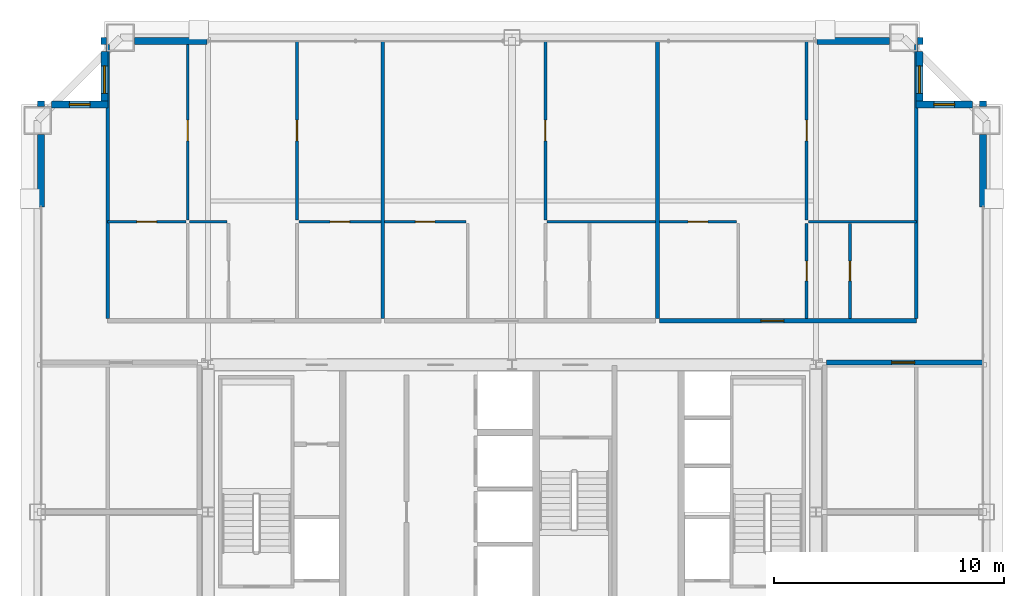
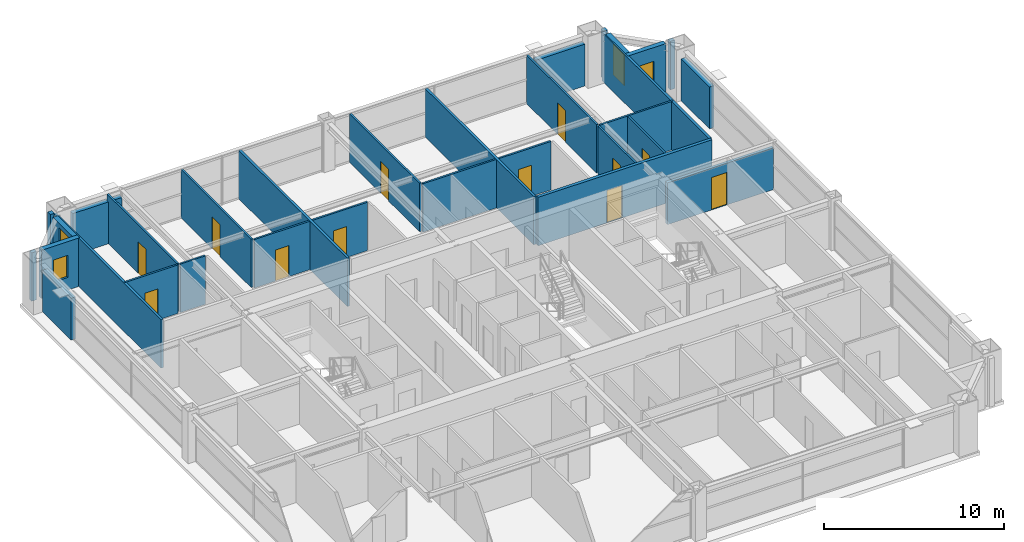
# One storey, part 35 of 37: 31 walls, 12 doors, 4 windows, 16 openings.
"""IFC4 building model written with IfcOpenShell, lengths in metres."""

from ifc_helpers import new_model, si_unit, direction, frame, frame_2d, origin, place, context, subcontext, project, spatial, rectangle, extrude, source, transform, mapped, material, layer, layer_set, type_object, element, fill, save


model = new_model("IFC4")

# Units and contexts
model_context = context("Model", 3, precision=1e-05, world=origin(), true_north=direction((0.0, 1.0)))
body_context = subcontext(model_context, "Body", "Model", "MODEL_VIEW")
ifc_project = project(units=[si_unit("LENGTHUNIT", "METRE"), si_unit("AREAUNIT", "SQUARE_METRE"), si_unit("VOLUMEUNIT", "CUBIC_METRE"), si_unit("PLANEANGLEUNIT", "RADIAN"), si_unit("MASSUNIT", "GRAM", prefix="KILO"), si_unit("THERMODYNAMICTEMPERATUREUNIT", "KELVIN"), si_unit("POWERUNIT", "WATT")], contexts=[model_context])

# Site, building, storey
site_placement = place(None, origin())
site = spatial("IfcSite", under=ifc_project, at=site_placement, CompositionType="ELEMENT")
building_placement = place(site_placement, origin())
building = spatial("IfcBuilding", under=site, at=building_placement, Name="Yuzanri Waterfront Tower", CompositionType="ELEMENT")
storey_placement = place(building_placement, frame((0.0, 0.0, 252.10009765625)))
storey = spatial("IfcBuildingStorey", under=building, at=storey_placement, Name="L67", CompositionType="ELEMENT", Elevation=252.10009765625)

# Wall, opening, door
ifc_material_1 = material(Name="Moisture-Resistant Gypsum Stud Wall", Category="gypsum")
ifc_layer_1 = layer(ifc_material_1, 0.1201171875)
ifc_layer_set_1 = layer_set([ifc_layer_1], Name="Moisture-Resistant Gypsum Stud Wall")
wall_type_1 = type_object("IfcWallType", Name="Bathroom and Kitchen Wet Partition 120", PredefinedType="PARTITIONING", material=ifc_layer_set_1)
wall_1_placement = place(storey_placement, frame((19.43994140625, 38.39990234375, 0.0), z_axis=(0.0, 0.0, 1.0), x_axis=(1.0, 0.0, 0.0)))
wall_1 = element("IfcWall", 1, at=wall_1_placement, inside=storey, type_object=wall_type_1, Name="L67 Partition UW-L67-RN1-SUB-1-N", PredefinedType="PARTITIONING", context=body_context, shape_type="SweptSolid", body=[
    extrude(rectangle(XDim=3.400146484375, YDim=0.1201171875, at=frame_2d((1.7001953125, 0.0))), origin(), (0.0, 0.0, 1.0), 3.27978515625),
])
opening_1_placement = place(wall_1_placement, frame((1.27490234375, 0.0, 0.0)))
opening_1 = element("IfcOpeningElement", 2, at=opening_1_placement, cuts=wall_1, Name="Opening ID-0850", PredefinedType="OPENING", context=body_context, shape_type="SweptSolid", body=[
    extrude(rectangle(XDim=0.85009765625, YDim=2.10009765625, at=frame_2d((0.425048828125, 1.050048828125))), frame((0.0, 0.074951171875, 0.0), z_axis=(0.0, -1.0, 0.0), x_axis=(1.0, 0.0, 0.0)), (0.0, 0.0, 1.0), 0.14990234375),
])
ifc_material_2 = material(Name="Moisture-Resistant Lacquered Timber", Category="wood")
door_type_1 = type_object("IfcDoorType", Name="En-Suite Bathroom and Kitchen Swing Door 850x2100", OperationType="NOTDEFINED", PredefinedType="DOOR", material=ifc_material_2)
shared_shape_1 = source(origin(), body_context, "Body", "SweptSolid", [
    extrude(rectangle(XDim=0.85009765625, YDim=2.10009765625, at=frame_2d((0.425048828125, 1.050048828125))), frame((0.0, 0.02490234375, 0.0), z_axis=(0.0, -1.0, 0.0), x_axis=(1.0, 0.0, 0.0)), (0.0, 0.0, 1.0), 0.050048828125),
])
door_1_placement = place(opening_1_placement, origin())
door_1 = element("IfcDoor", 3, at=door_1_placement, inside=storey, type_object=door_type_1, Name="L67 Suite Interior Room Door", OperationType="SINGLE_SWING_RIGHT", OverallHeight=2.10009765625, OverallWidth=0.85009765625, PredefinedType="DOOR", context=body_context, shape_type="MappedRepresentation", body=[
    mapped(shared_shape_1, transform((0.0, 0.0, 0.0), scale=1.0)),
])
fill(opening_1, door_1)

wall_2_placement = place(storey_placement, frame((27.742919921875, 38.39990234375, 0.0), z_axis=(0.0, 0.0, 1.0), x_axis=(1.0, 0.0, 0.0)))
wall_2 = element("IfcWall", 4, at=wall_2_placement, inside=storey, type_object=wall_type_1, Name="L67 Partition UW-L67-RN1-SUB-3-N", PredefinedType="PARTITIONING", context=body_context, shape_type="SweptSolid", body=[
    extrude(rectangle(XDim=3.55810546875, YDim=0.1201171875, at=frame_2d((1.779052734375, 0.0))), origin(), (0.0, 0.0, 1.0), 3.27978515625),
])
opening_2_placement = place(wall_2_placement, frame((1.35400390625, 0.0, 0.0)))
opening_2 = element("IfcOpeningElement", 5, at=opening_2_placement, cuts=wall_2, Name="Opening ID-0850", PredefinedType="OPENING", context=body_context, shape_type="SweptSolid", body=[
    extrude(rectangle(XDim=0.85009765625, YDim=2.10009765625, at=frame_2d((0.425048828125, 1.050048828125))), frame((0.0, 0.074951171875, 0.0), z_axis=(0.0, -1.0, 0.0), x_axis=(1.0, 0.0, 0.0)), (0.0, 0.0, 1.0), 0.14990234375),
])
door_2_placement = place(opening_2_placement, origin())
door_2 = element("IfcDoor", 6, at=door_2_placement, inside=storey, type_object=door_type_1, Name="L67 Suite Interior Room Door", OperationType="SINGLE_SWING_RIGHT", OverallHeight=2.10009765625, OverallWidth=0.85009765625, PredefinedType="DOOR", context=body_context, shape_type="MappedRepresentation", body=[
    mapped(shared_shape_1, transform((0.0, 0.0, 0.0), scale=1.0)),
])
fill(opening_2, door_2)

wall_3_placement = place(storey_placement, frame((22.919921875, 38.47998046875, 0.0), z_axis=(0.0, 0.0, 1.0), x_axis=(0.0, 1.0, 0.0)))
wall_3 = element("IfcWall", 7, at=wall_3_placement, inside=storey, type_object=wall_type_1, Name="L67 Partition UW-L67-RN1-SUB-4-E", PredefinedType="PARTITIONING", context=body_context, shape_type="SweptSolid", body=[
    extrude(rectangle(XDim=7.77001953125, YDim=0.1201171875, at=frame_2d((3.885009765625, 0.0))), origin(), (0.0, 0.0, 1.0), 3.27978515625),
])
opening_3_placement = place(wall_3_placement, frame((3.43505859375, 0.0, 0.0)))
opening_3 = element("IfcOpeningElement", 8, at=opening_3_placement, cuts=wall_3, Name="Opening ID-0900", PredefinedType="OPENING", context=body_context, shape_type="SweptSolid", body=[
    extrude(rectangle(XDim=0.89990234375, YDim=2.14990234375, at=frame_2d((0.449951171875, 1.074951171875))), frame((0.0, 0.074951171875, 0.0), z_axis=(0.0, -1.0, 0.0), x_axis=(1.0, 0.0, 0.0)), (0.0, 0.0, 1.0), 0.14990234375),
])
ifc_material_3 = material(Name="Stained Walnut Veneer Timber", Category="wood")
door_type_2 = type_object("IfcDoorType", Name="Bedroom and Study Interior Swing Door 900x2150", OperationType="NOTDEFINED", PredefinedType="DOOR", material=ifc_material_3)
shared_shape_2 = source(origin(), body_context, "Body", "SweptSolid", [
    extrude(rectangle(XDim=0.89990234375, YDim=2.14990234375, at=frame_2d((0.449951171875, 1.074951171875))), frame((0.0, 0.02490234375, 0.0), z_axis=(0.0, -1.0, 0.0), x_axis=(1.0, 0.0, 0.0)), (0.0, 0.0, 1.0), 0.050048828125),
])
door_3_placement = place(opening_3_placement, origin())
door_3 = element("IfcDoor", 9, at=door_3_placement, inside=storey, type_object=door_type_2, Name="L67 Suite Interior Room Door", OperationType="SINGLE_SWING_LEFT", OverallHeight=2.14990234375, OverallWidth=0.89990234375, PredefinedType="DOOR", context=body_context, shape_type="MappedRepresentation", body=[
    mapped(shared_shape_2, transform((0.0, 0.0, 0.0), scale=1.0)),
])
fill(opening_3, door_3)

wall_4_placement = place(storey_placement, frame((27.6630859375, 38.47998046875, 0.0), z_axis=(0.0, 0.0, 1.0), x_axis=(0.0, 1.0, 0.0)))
wall_4 = element("IfcWall", 10, at=wall_4_placement, inside=storey, type_object=wall_type_1, Name="L67 Partition UW-L67-RN1-SUB-5-W", PredefinedType="PARTITIONING", context=body_context, shape_type="SweptSolid", body=[
    extrude(rectangle(XDim=7.77001953125, YDim=0.1201171875, at=frame_2d((3.885009765625, 0.0))), origin(), (0.0, 0.0, 1.0), 3.27978515625),
])
opening_4_placement = place(wall_4_placement, frame((3.43505859375, 0.0, 0.0)))
opening_4 = element("IfcOpeningElement", 11, at=opening_4_placement, cuts=wall_4, Name="Opening ID-0900", PredefinedType="OPENING", context=body_context, shape_type="SweptSolid", body=[
    extrude(rectangle(XDim=0.89990234375, YDim=2.14990234375, at=frame_2d((0.449951171875, 1.074951171875))), frame((0.0, 0.074951171875, 0.0), z_axis=(0.0, -1.0, 0.0), x_axis=(1.0, 0.0, 0.0)), (0.0, 0.0, 1.0), 0.14990234375),
])
door_4_placement = place(opening_4_placement, origin())
door_4 = element("IfcDoor", 12, at=door_4_placement, inside=storey, type_object=door_type_2, Name="L67 Suite Interior Room Door", OperationType="SINGLE_SWING_RIGHT", OverallHeight=2.14990234375, OverallWidth=0.89990234375, PredefinedType="DOOR", context=body_context, shape_type="MappedRepresentation", body=[
    mapped(shared_shape_2, transform((0.0, 0.0, 0.0), scale=1.0)),
])
fill(opening_4, door_4)

wall_5_placement = place(storey_placement, frame((31.4609375, 38.39990234375, 0.0), z_axis=(0.0, 0.0, 1.0), x_axis=(1.0, 0.0, 0.0)))
wall_5 = element("IfcWall", 13, at=wall_5_placement, inside=storey, type_object=wall_type_1, Name="L67 Partition UW-L67-RN2-SUB-1-N", PredefinedType="PARTITIONING", context=body_context, shape_type="SweptSolid", body=[
    extrude(rectangle(XDim=3.5341796875, YDim=0.1201171875, at=frame_2d((1.76708984375, 0.0))), origin(), (0.0, 0.0, 1.0), 3.27978515625),
])
opening_5_placement = place(wall_5_placement, frame((1.342041015625, 0.0, 0.0)))
opening_5 = element("IfcOpeningElement", 14, at=opening_5_placement, cuts=wall_5, Name="Opening ID-0850", PredefinedType="OPENING", context=body_context, shape_type="SweptSolid", body=[
    extrude(rectangle(XDim=0.85009765625, YDim=2.10009765625, at=frame_2d((0.425048828125, 1.050048828125))), frame((0.0, 0.074951171875, 0.0), z_axis=(0.0, -1.0, 0.0), x_axis=(1.0, 0.0, 0.0)), (0.0, 0.0, 1.0), 0.14990234375),
])
door_5_placement = place(opening_5_placement, origin())
door_5 = element("IfcDoor", 15, at=door_5_placement, inside=storey, type_object=door_type_1, Name="L67 Suite Interior Room Door", OperationType="SINGLE_SWING_RIGHT", OverallHeight=2.10009765625, OverallWidth=0.85009765625, PredefinedType="DOOR", context=body_context, shape_type="MappedRepresentation", body=[
    mapped(shared_shape_1, transform((0.0, 0.0, 0.0), scale=1.0)),
])
fill(opening_5, door_5)

wall_6_placement = place(storey_placement, frame((38.449951171875, 38.47998046875, 0.0), z_axis=(0.0, 0.0, 1.0), x_axis=(0.0, 1.0, 0.0)))
wall_6 = element("IfcWall", 16, at=wall_6_placement, inside=storey, type_object=wall_type_1, Name="L67 Partition UW-L67-RN2-SUB-3-W", PredefinedType="PARTITIONING", context=body_context, shape_type="SweptSolid", body=[
    extrude(rectangle(XDim=7.77001953125, YDim=0.1201171875, at=frame_2d((3.885009765625, 0.0))), origin(), (0.0, 0.0, 1.0), 3.27978515625),
])
opening_6_placement = place(wall_6_placement, frame((3.43505859375, 0.0, 0.0)))
opening_6 = element("IfcOpeningElement", 17, at=opening_6_placement, cuts=wall_6, Name="Opening ID-0900", PredefinedType="OPENING", context=body_context, shape_type="SweptSolid", body=[
    extrude(rectangle(XDim=0.89990234375, YDim=2.14990234375, at=frame_2d((0.449951171875, 1.074951171875))), frame((0.0, 0.074951171875, 0.0), z_axis=(0.0, -1.0, 0.0), x_axis=(1.0, 0.0, 0.0)), (0.0, 0.0, 1.0), 0.14990234375),
])
door_6_placement = place(opening_6_placement, origin())
door_6 = element("IfcDoor", 18, at=door_6_placement, inside=storey, type_object=door_type_2, Name="L67 Suite Interior Room Door", OperationType="SINGLE_SWING_RIGHT", OverallHeight=2.14990234375, OverallWidth=0.89990234375, PredefinedType="DOOR", context=body_context, shape_type="MappedRepresentation", body=[
    mapped(shared_shape_2, transform((0.0, 0.0, 0.0), scale=1.0)),
])
fill(opening_6, door_6)

wall_7_placement = place(storey_placement, frame((43.402099609375, 38.39990234375, 0.0), z_axis=(0.0, 0.0, 1.0), x_axis=(1.0, 0.0, 0.0)))
wall_7 = element("IfcWall", 19, at=wall_7_placement, inside=storey, type_object=wall_type_1, Name="L67 Partition UW-L67-RN3-SUB-1-N", PredefinedType="PARTITIONING", context=body_context, shape_type="SweptSolid", body=[
    extrude(rectangle(XDim=3.346923828125, YDim=0.1201171875, at=frame_2d((1.67333984375, 0.0))), origin(), (0.0, 0.0, 1.0), 3.27978515625),
])
opening_7_placement = place(wall_7_placement, frame((1.24853515625, 0.0, 0.0)))
opening_7 = element("IfcOpeningElement", 20, at=opening_7_placement, cuts=wall_7, Name="Opening ID-0850", PredefinedType="OPENING", context=body_context, shape_type="SweptSolid", body=[
    extrude(rectangle(XDim=0.85009765625, YDim=2.10009765625, at=frame_2d((0.425048828125, 1.050048828125))), frame((0.0, 0.074951171875, 0.0), z_axis=(0.0, -1.0, 0.0), x_axis=(1.0, 0.0, 0.0)), (0.0, 0.0, 1.0), 0.14990234375),
])
door_7_placement = place(opening_7_placement, origin())
door_7 = element("IfcDoor", 21, at=door_7_placement, inside=storey, type_object=door_type_1, Name="L67 Suite Interior Room Door", OperationType="SINGLE_SWING_LEFT", OverallHeight=2.10009765625, OverallWidth=0.85009765625, PredefinedType="DOOR", context=body_context, shape_type="MappedRepresentation", body=[
    mapped(shared_shape_1, transform((0.0, 0.0, 0.0), scale=1.0)),
])
fill(opening_7, door_7)

wall_8_placement = place(storey_placement, frame((51.679931640625, 34.2099609375, 0.0), z_axis=(0.0, 0.0, 1.0), x_axis=(0.0, 1.0, 0.0)))
wall_8 = element("IfcWall", 22, at=wall_8_placement, inside=storey, type_object=wall_type_1, Name="L67 Partition UW-L67-RN3-SUB-2-W", PredefinedType="PARTITIONING", context=body_context, shape_type="SweptSolid", body=[
    extrude(rectangle(XDim=4.110107421875, YDim=0.1201171875, at=frame_2d((2.05517578125, 0.0))), origin(), (0.0, 0.0, 1.0), 3.27978515625),
])
opening_8_placement = place(wall_8_placement, frame((1.6298828125, 0.0, 0.0)))
opening_8 = element("IfcOpeningElement", 23, at=opening_8_placement, cuts=wall_8, Name="Opening ID-0850", PredefinedType="OPENING", context=body_context, shape_type="SweptSolid", body=[
    extrude(rectangle(XDim=0.85009765625, YDim=2.10009765625, at=frame_2d((0.425048828125, 1.050048828125))), frame((0.0, 0.074951171875, 0.0), z_axis=(0.0, -1.0, 0.0), x_axis=(1.0, 0.0, 0.0)), (0.0, 0.0, 1.0), 0.14990234375),
])
door_8_placement = place(opening_8_placement, origin())
door_8 = element("IfcDoor", 24, at=door_8_placement, inside=storey, type_object=door_type_1, Name="L67 Suite Interior Room Door", OperationType="SINGLE_SWING_RIGHT", OverallHeight=2.10009765625, OverallWidth=0.85009765625, PredefinedType="DOOR", context=body_context, shape_type="MappedRepresentation", body=[
    mapped(shared_shape_1, transform((0.0, 0.0, 0.0), scale=1.0)),
])
fill(opening_8, door_8)

wall_9_placement = place(storey_placement, frame((49.7939453125, 38.47998046875, 0.0), z_axis=(0.0, 0.0, 1.0), x_axis=(0.0, 1.0, 0.0)))
wall_9 = element("IfcWall", 25, at=wall_9_placement, inside=storey, type_object=wall_type_1, Name="L67 Partition UW-L67-RN3-SUB-3-W", PredefinedType="PARTITIONING", context=body_context, shape_type="SweptSolid", body=[
    extrude(rectangle(XDim=7.77001953125, YDim=0.1201171875, at=frame_2d((3.885009765625, 0.0))), origin(), (0.0, 0.0, 1.0), 3.27978515625),
])
opening_9_placement = place(wall_9_placement, frame((3.43505859375, 0.0, 0.0)))
opening_9 = element("IfcOpeningElement", 26, at=opening_9_placement, cuts=wall_9, Name="Opening ID-0900", PredefinedType="OPENING", context=body_context, shape_type="SweptSolid", body=[
    extrude(rectangle(XDim=0.89990234375, YDim=2.14990234375, at=frame_2d((0.449951171875, 1.074951171875))), frame((0.0, 0.074951171875, 0.0), z_axis=(0.0, -1.0, 0.0), x_axis=(1.0, 0.0, 0.0)), (0.0, 0.0, 1.0), 0.14990234375),
])
door_9_placement = place(opening_9_placement, origin())
door_9 = element("IfcDoor", 27, at=door_9_placement, inside=storey, type_object=door_type_2, Name="L67 Suite Interior Room Door", OperationType="SINGLE_SWING_LEFT", OverallHeight=2.14990234375, OverallWidth=0.89990234375, PredefinedType="DOOR", context=body_context, shape_type="MappedRepresentation", body=[
    mapped(shared_shape_2, transform((0.0, 0.0, 0.0), scale=1.0)),
])
fill(opening_9, door_9)

wall_10_placement = place(storey_placement, frame((49.7939453125, 34.2099609375, 0.0), z_axis=(0.0, 0.0, 1.0), x_axis=(0.0, 1.0, 0.0)))
wall_10 = element("IfcWall", 28, at=wall_10_placement, inside=storey, type_object=wall_type_1, Name="L67 Partition UW-L67-RN3-SUB-4-W", PredefinedType="PARTITIONING", context=body_context, shape_type="SweptSolid", body=[
    extrude(rectangle(XDim=4.110107421875, YDim=0.1201171875, at=frame_2d((2.05517578125, 0.0))), origin(), (0.0, 0.0, 1.0), 3.27978515625),
])
opening_10_placement = place(wall_10_placement, frame((1.6298828125, 0.0, 0.0)))
opening_10 = element("IfcOpeningElement", 29, at=opening_10_placement, cuts=wall_10, Name="Opening ID-0850", PredefinedType="OPENING", context=body_context, shape_type="SweptSolid", body=[
    extrude(rectangle(XDim=0.85009765625, YDim=2.10009765625, at=frame_2d((0.425048828125, 1.050048828125))), frame((0.0, 0.074951171875, 0.0), z_axis=(0.0, -1.0, 0.0), x_axis=(1.0, 0.0, 0.0)), (0.0, 0.0, 1.0), 0.14990234375),
])
door_10_placement = place(opening_10_placement, origin())
door_10 = element("IfcDoor", 30, at=door_10_placement, inside=storey, type_object=door_type_1, Name="L67 Suite Interior Room Door", OperationType="SINGLE_SWING_RIGHT", OverallHeight=2.10009765625, OverallWidth=0.85009765625, PredefinedType="DOOR", context=body_context, shape_type="MappedRepresentation", body=[
    mapped(shared_shape_1, transform((0.0, 0.0, 0.0), scale=1.0)),
])
fill(opening_10, door_10)

# Wall, opening, window
ifc_material_4 = material(Name="Honed Chongqing Dark Basalt Stone", Category="masonry")
ifc_layer_2 = layer(ifc_material_4, 0.300048828125)
ifc_layer_set_2 = layer_set([ifc_layer_2], Name="Honed Chongqing Dark Basalt Stone")
wall_type_2 = type_object("IfcWallType", Name="Bronze Rainscreen Insulated Spandrel Portal Wall 300", PredefinedType="SOLIDWALL", material=ifc_layer_set_2)
wall_11_placement = place(storey_placement, frame((19.449951171875, 43.5, 0.0), z_axis=(0.0, 0.0, 1.0), x_axis=(-1.0, 0.0, 0.0)))
wall_11 = element("IfcWall", 31, at=wall_11_placement, inside=storey, type_object=wall_type_2, Name="L67 Notched Corner Masonry Wall NW-X", PredefinedType="SOLIDWALL", context=body_context, shape_type="SweptSolid", body=[
    extrude(rectangle(XDim=2.449951171875, YDim=0.300048828125, at=frame_2d((1.22509765625, 0.0))), origin(), (0.0, 0.0, 1.0), 3.27978515625),
])
opening_11_placement = place(wall_11_placement, frame((0.77490234375, 0.0, 0.85009765625)))
opening_11 = element("IfcOpeningElement", 32, at=opening_11_placement, cuts=wall_11, Name="Opening WN-05", PredefinedType="OPENING", context=body_context, shape_type="SweptSolid", body=[
    extrude(rectangle(XDim=0.89990234375, YDim=1.5, at=frame_2d((0.449951171875, 0.75))), frame((0.0, 0.1650390625, 0.0), z_axis=(0.0, -1.0, 0.0), x_axis=(1.0, 0.0, 0.0)), (0.0, 0.0, 1.0), 0.329833984375),
])
ifc_material_5 = material(Name="Double-Silver Low-E Insulated Glass", Category="glass")
window_type_1 = type_object("IfcWindowType", Name="Anodized Bronze Service and Stairwell Smoke-Vent Window 900x1500", PartitioningType="SINGLE_PANEL", PredefinedType="WINDOW", material=ifc_material_5)
shared_shape_3 = source(origin(), body_context, "Body", "SweptSolid", [
    extrude(rectangle(XDim=0.89990234375, YDim=1.5, at=frame_2d((0.449951171875, 0.75))), frame((0.0, 0.030029296875, 0.0), z_axis=(0.0, -1.0, 0.0), x_axis=(1.0, 0.0, 0.0)), (0.0, 0.0, 1.0), 0.06005859375),
])
window_1_placement = place(opening_11_placement, origin())
window_1 = element("IfcWindow", 33, at=window_1_placement, inside=storey, type_object=window_type_1, Name="L67 Notched Corner Window NW-X", OverallHeight=1.5, OverallWidth=0.89990234375, PartitioningType="SINGLE_PANEL", PredefinedType="WINDOW", context=body_context, shape_type="MappedRepresentation", body=[
    mapped(shared_shape_3, transform((0.0, 0.0, 0.0), scale=1.0)),
])
fill(opening_11, window_1)

wall_12_placement = place(storey_placement, frame((19.300048828125, 45.800048828125, 0.0), z_axis=(0.0, 0.0, 1.0), x_axis=(0.0, -1.0, 0.0)))
wall_12 = element("IfcWall", 34, at=wall_12_placement, inside=storey, type_object=wall_type_2, Name="L67 Notched Corner Masonry Wall NW-Y", PredefinedType="SOLIDWALL", context=body_context, shape_type="SweptSolid", body=[
    extrude(rectangle(XDim=2.449951171875, YDim=0.300048828125, at=frame_2d((1.22509765625, 0.0))), origin(), (0.0, 0.0, 1.0), 3.27978515625),
])
opening_12_placement = place(wall_12_placement, frame((0.625, 0.0, 0.85009765625)))
opening_12 = element("IfcOpeningElement", 35, at=opening_12_placement, cuts=wall_12, Name="Opening WN-02", PredefinedType="OPENING", context=body_context, shape_type="SweptSolid", body=[
    extrude(rectangle(XDim=1.199951171875, YDim=2.10009765625, at=frame_2d((0.60009765625, 1.050048828125))), frame((0.0, 0.1650390625, 0.0), z_axis=(0.0, -1.0, 0.0), x_axis=(1.0, 0.0, 0.0)), (0.0, 0.0, 1.0), 0.329833984375),
])
ifc_material_6 = material(Name="Double-Silver Low-E Insulated Glass", Category="glass")
window_type_2 = type_object("IfcWindowType", Name="Anodized Bronze Notched Corner Deep-Set Slot Window 1200x2100", PartitioningType="SINGLE_PANEL", PredefinedType="WINDOW", material=ifc_material_6)
shared_shape_4 = source(origin(), body_context, "Body", "SweptSolid", [
    extrude(rectangle(XDim=1.199951171875, YDim=2.10009765625, at=frame_2d((0.60009765625, 1.050048828125))), frame((0.0, 0.030029296875, 0.0), z_axis=(0.0, -1.0, 0.0), x_axis=(1.0, 0.0, 0.0)), (0.0, 0.0, 1.0), 0.06005859375),
])
window_2_placement = place(opening_12_placement, origin())
window_2 = element("IfcWindow", 36, at=window_2_placement, inside=storey, type_object=window_type_2, Name="L67 Notched Corner Window NW-Y", OverallHeight=2.10009765625, OverallWidth=1.199951171875, PartitioningType="SINGLE_PANEL", PredefinedType="WINDOW", context=body_context, shape_type="MappedRepresentation", body=[
    mapped(shared_shape_4, transform((0.0, 0.0, 0.0), scale=1.0)),
])
fill(opening_12, window_2)

wall_13_placement = place(storey_placement, frame((57.0, 43.5, 0.0), z_axis=(0.0, 0.0, 1.0), x_axis=(-1.0, 0.0, 0.0)))
wall_13 = element("IfcWall", 37, at=wall_13_placement, inside=storey, type_object=wall_type_2, Name="L67 Notched Corner Masonry Wall NE-X", PredefinedType="SOLIDWALL", context=body_context, shape_type="SweptSolid", body=[
    extrude(rectangle(XDim=2.449951171875, YDim=0.300048828125, at=frame_2d((1.22509765625, 0.0))), origin(), (0.0, 0.0, 1.0), 3.27978515625),
])
opening_13_placement = place(wall_13_placement, frame((0.77490234375, 0.0, 0.85009765625)))
opening_13 = element("IfcOpeningElement", 38, at=opening_13_placement, cuts=wall_13, Name="Opening WN-05", PredefinedType="OPENING", context=body_context, shape_type="SweptSolid", body=[
    extrude(rectangle(XDim=0.89990234375, YDim=1.5, at=frame_2d((0.449951171875, 0.75))), frame((0.0, 0.1650390625, 0.0), z_axis=(0.0, -1.0, 0.0), x_axis=(1.0, 0.0, 0.0)), (0.0, 0.0, 1.0), 0.329833984375),
])
window_3_placement = place(opening_13_placement, origin())
window_3 = element("IfcWindow", 39, at=window_3_placement, inside=storey, type_object=window_type_1, Name="L67 Notched Corner Window NE-X", OverallHeight=1.5, OverallWidth=0.89990234375, PartitioningType="SINGLE_PANEL", PredefinedType="WINDOW", context=body_context, shape_type="MappedRepresentation", body=[
    mapped(shared_shape_3, transform((0.0, 0.0, 0.0), scale=1.0)),
])
fill(opening_13, window_3)

wall_14_placement = place(storey_placement, frame((54.699951171875, 43.35009765625, 0.0), z_axis=(0.0, 0.0, 1.0), x_axis=(0.0, 1.0, 0.0)))
wall_14 = element("IfcWall", 40, at=wall_14_placement, inside=storey, type_object=wall_type_2, Name="L67 Notched Corner Masonry Wall NE-Y", PredefinedType="SOLIDWALL", context=body_context, shape_type="SweptSolid", body=[
    extrude(rectangle(XDim=2.449951171875, YDim=0.300048828125, at=frame_2d((1.22509765625, 0.0))), origin(), (0.0, 0.0, 1.0), 3.27978515625),
])
opening_14_placement = place(wall_14_placement, frame((0.625, 0.0, 0.85009765625)))
opening_14 = element("IfcOpeningElement", 41, at=opening_14_placement, cuts=wall_14, Name="Opening WN-02", PredefinedType="OPENING", context=body_context, shape_type="SweptSolid", body=[
    extrude(rectangle(XDim=1.199951171875, YDim=2.10009765625, at=frame_2d((0.60009765625, 1.050048828125))), frame((0.0, 0.1650390625, 0.0), z_axis=(0.0, -1.0, 0.0), x_axis=(1.0, 0.0, 0.0)), (0.0, 0.0, 1.0), 0.329833984375),
])
window_4_placement = place(opening_14_placement, origin())
window_4 = element("IfcWindow", 42, at=window_4_placement, inside=storey, type_object=window_type_2, Name="L67 Notched Corner Window NE-Y", OverallHeight=2.10009765625, OverallWidth=1.199951171875, PartitioningType="SINGLE_PANEL", PredefinedType="WINDOW", context=body_context, shape_type="MappedRepresentation", body=[
    mapped(shared_shape_4, transform((0.0, 0.0, 0.0), scale=1.0)),
])
fill(opening_14, window_4)

# Wall, opening, door
ifc_material_7 = material(Name="Autoclaved Aerated Concrete Blockwork", Category="masonry")
ifc_layer_3 = layer(ifc_material_7, 0.199951171875)
ifc_layer_set_3 = layer_set([ifc_layer_3], Name="Autoclaved Aerated Concrete Blockwork")
wall_type_3 = type_object("IfcWallType", Name="Corridor and Unit Party Fire Wall 200", PredefinedType="PARTITIONING", material=ifc_layer_set_3)
wall_15_placement = place(storey_placement, frame((43.402099609375, 34.110107421875, 0.0), z_axis=(0.0, 0.0, 1.0), x_axis=(1.0, 0.0, 0.0)))
wall_15 = element("IfcWall", 43, at=wall_15_placement, inside=storey, type_object=wall_type_3, Name="L67 Partition UW-L67-RN3-CS", PredefinedType="PARTITIONING", context=body_context, shape_type="SweptSolid", body=[
    extrude(rectangle(XDim=11.157958984375, YDim=0.199951171875, at=frame_2d((5.5791015625, 0.0))), origin(), (0.0, 0.0, 1.0), 3.27978515625),
])
opening_15_placement = place(wall_15_placement, frame((4.408935546875, 0.0, 0.0)))
opening_15 = element("IfcOpeningElement", 44, at=opening_15_placement, cuts=wall_15, Name="Opening FD-1000", PredefinedType="OPENING", context=body_context, shape_type="SweptSolid", body=[
    extrude(rectangle(XDim=1.0, YDim=2.199951171875, at=frame_2d((0.5, 1.10009765625))), frame((0.0, 0.11474609375, 0.0), z_axis=(0.0, -1.0, 0.0), x_axis=(1.0, 0.0, 0.0)), (0.0, 0.0, 1.0), 0.229736328125),
])
ifc_material_8 = material(Name="Engineered Oak Fire-Rated Timber", Category="wood")
door_type_3 = type_object("IfcDoorType", Name="Guestroom and Apartment Entrance Fire Door 1000x2200", OperationType="NOTDEFINED", PredefinedType="DOOR", material=ifc_material_8)
shared_shape_5 = source(origin(), body_context, "Body", "SweptSolid", [
    extrude(rectangle(XDim=1.0, YDim=2.199951171875, at=frame_2d((0.5, 1.10009765625))), frame((0.0, 0.02490234375, 0.0), z_axis=(0.0, -1.0, 0.0), x_axis=(1.0, 0.0, 0.0)), (0.0, 0.0, 1.0), 0.050048828125),
])
door_11_placement = place(opening_15_placement, origin())
door_11 = element("IfcDoor", 45, at=door_11_placement, inside=storey, type_object=door_type_3, Name="L67 Apartment Living Room Entrance Door", OperationType="SINGLE_SWING_RIGHT", OverallHeight=2.199951171875, OverallWidth=1.0, PredefinedType="DOOR", context=body_context, shape_type="MappedRepresentation", body=[
    mapped(shared_shape_5, transform((0.0, 0.0, 0.0), scale=1.0)),
])
fill(opening_15, door_11)

wall_16_placement = place(storey_placement, frame((50.64990234375, 32.2900390625, 0.0), z_axis=(0.0, 0.0, 1.0), x_axis=(1.0, 0.0, 0.0)))
wall_16 = element("IfcWall", 46, at=wall_16_placement, inside=storey, type_object=wall_type_3, Name="L67 Partition UW-L67-050-CN", PredefinedType="PARTITIONING", context=body_context, shape_type="SweptSolid", body=[
    extrude(rectangle(XDim=6.800048828125, YDim=0.199951171875, at=frame_2d((3.39990234375, 0.0))), origin(), (0.0, 0.0, 1.0), 2.824951171875),
])
opening_16_placement = place(wall_16_placement, frame((2.8349609375, 0.0, 0.0)))
opening_16 = element("IfcOpeningElement", 47, at=opening_16_placement, cuts=wall_16, Name="Opening FD-1000", PredefinedType="OPENING", context=body_context, shape_type="SweptSolid", body=[
    extrude(rectangle(XDim=1.0, YDim=2.199951171875, at=frame_2d((0.5, 1.10009765625))), frame((0.0, 0.11474609375, 0.0), z_axis=(0.0, -1.0, 0.0), x_axis=(1.0, 0.0, 0.0)), (0.0, 0.0, 1.0), 0.229736328125),
])
door_12_placement = place(opening_16_placement, origin())
door_12 = element("IfcDoor", 48, at=door_12_placement, inside=storey, type_object=door_type_3, Name="L67 Residents E Executive Office 2 Entrance Door", OperationType="SINGLE_SWING_RIGHT", OverallHeight=2.199951171875, OverallWidth=1.0, PredefinedType="DOOR", context=body_context, shape_type="MappedRepresentation", body=[
    mapped(shared_shape_5, transform((0.0, 0.0, 0.0), scale=1.0)),
])
fill(opening_16, door_12)

# Walls
shared_shape_6 = source(origin(), body_context, "Body", "SweptSolid", [
    extrude(rectangle(XDim=0.25, YDim=0.300048828125, at=frame_2d((0.125, 0.0))), origin(), (0.0, 0.0, 1.0), 3.27978515625),
])
for number, where, z_axis, x_axis, name in (
    (49, (19.14990234375, 46.25, 0.0), (0.0, 0.0, 1.0), (1.0, 0.0, 0.0), "L67 Corner Column Shoulder Return CNW"),
    (50, (54.60009765625, 46.25, 0.0), (0.0, 0.0, 1.0), (1.0, 0.0, 0.0), "L67 Corner Column Shoulder Return CNE"),
    (51, (16.550048828125, 43.39990234375, 0.0), (0.0, 0.0, 1.0), (0.0, 1.0, 0.0), "L67 Corner Column Shoulder Return CWN"),
    (52, (57.449951171875, 43.39990234375, 0.0), (0.0, 0.0, 1.0), (0.0, 1.0, 0.0), "L67 Corner Column Shoulder Return CEN"),
):
    element("IfcWall", number, at=place(storey_placement, frame(where, z_axis=z_axis, x_axis=x_axis)), inside=storey, type_object=wall_type_2, Name=name, PredefinedType="SOLIDWALL", context=body_context, shape_type="MappedRepresentation", body=[
        mapped(shared_shape_6, transform((0.0, 0.0, 0.0), scale=1.0)),
    ])
shared_shape_7 = source(origin(), body_context, "Body", "SweptSolid", [
    extrude(rectangle(XDim=3.14990234375, YDim=0.300048828125, at=frame_2d((1.574951171875, 0.0))), origin(), (0.0, 0.0, 1.0), 2.8349609375),
])
for number, where, z_axis, x_axis, name in (
    (53, (20.60009765625, 46.25, 0.0), (0.0, 0.0, 1.0), (1.0, 0.0, 0.0), "L67 N Left Braced Masonry Shoulder"),
    (54, (50.25, 46.25, 0.0), (0.0, 0.0, 1.0), (1.0, 0.0, 0.0), "L67 N Right Braced Masonry Shoulder"),
    (55, (16.550048828125, 39.050048828125, 0.0), (0.0, 0.0, 1.0), (0.0, 1.0, 0.0), "L67 W Right Braced Masonry Shoulder"),
    (56, (57.449951171875, 39.050048828125, 0.0), (0.0, 0.0, 1.0), (0.0, 1.0, 0.0), "L67 E Right Braced Masonry Shoulder"),
):
    element("IfcWall", number, at=place(storey_placement, frame(where, z_axis=z_axis, x_axis=x_axis)), inside=storey, type_object=wall_type_2, Name=name, PredefinedType="SOLIDWALL", context=body_context, shape_type="MappedRepresentation", body=[
        mapped(shared_shape_7, transform((0.0, 0.0, 0.0), scale=1.0)),
    ])
ifc_material_9 = material(Name="Gypsum Fireboard Acoustic Stud Wall", Category="gypsum")
ifc_layer_4 = layer(ifc_material_9, 0.159912109375)
ifc_layer_set_4 = layer_set([ifc_layer_4], Name="Gypsum Fireboard Acoustic Stud Wall")
wall_type_4 = type_object("IfcWallType", Name="Acoustic Suite Demising Partition 160", PredefinedType="PARTITIONING", material=ifc_layer_set_4)
shared_shape_8 = source(origin(), body_context, "Body", "SweptSolid", [
    extrude(rectangle(XDim=11.89013671875, YDim=0.159912109375, at=frame_2d((5.945068359375, 0.0))), origin(), (0.0, 0.0, 1.0), 3.27978515625),
])
for number, where, z_axis, x_axis, name in (
    (57, (19.449951171875, 34.2099609375, 0.0), (0.0, 0.0, 1.0), (0.0, 1.0, 0.0), "L67 North Band West End Wall"),
    (58, (54.550048828125, 34.2099609375, 0.0), (0.0, 0.0, 1.0), (0.0, 1.0, 0.0), "L67 North Band East End Wall"),
):
    element("IfcWall", number, at=place(storey_placement, frame(where, z_axis=z_axis, x_axis=x_axis)), inside=storey, type_object=wall_type_4, Name=name, PredefinedType="PARTITIONING", context=body_context, shape_type="MappedRepresentation", body=[
        mapped(shared_shape_8, transform((0.0, 0.0, 0.0), scale=1.0)),
    ])
shared_shape_9 = source(origin(), body_context, "Body", "SweptSolid", [
    extrude(rectangle(XDim=12.0400390625, YDim=0.159912109375, at=frame_2d((6.02001953125, 0.0))), origin(), (0.0, 0.0, 1.0), 3.27978515625),
])
for number, where, z_axis, x_axis, name in (
    (59, (31.381103515625, 34.2099609375, 0.0), (0.0, 0.0, 1.0), (0.0, 1.0, 0.0), "L67-RN1 Party Wall"),
    (60, (43.322021484375, 34.2099609375, 0.0), (0.0, 0.0, 1.0), (0.0, 1.0, 0.0), "L67-RN2 Party Wall"),
):
    element("IfcWall", number, at=place(storey_placement, frame(where, z_axis=z_axis, x_axis=x_axis)), inside=storey, type_object=wall_type_4, Name=name, PredefinedType="PARTITIONING", context=body_context, shape_type="MappedRepresentation", body=[
        mapped(shared_shape_9, transform((0.0, 0.0, 0.0), scale=1.0)),
    ])
shared_shape_10 = source(origin(), body_context, "Body", "SweptSolid", [
    extrude(rectangle(XDim=4.7119140625, YDim=0.1201171875, at=frame_2d((2.35595703125, 0.0))), origin(), (0.0, 0.0, 1.0), 3.27978515625),
])
wall_17_placement = place(storey_placement, frame((38.530029296875, 38.39990234375, 0.0), z_axis=(0.0, 0.0, 1.0), x_axis=(1.0, 0.0, 0.0)))
element("IfcWall", 61, at=wall_17_placement, inside=storey, type_object=wall_type_1, Name="L67 Partition UW-L67-RN2-SUB-3-S", PredefinedType="PARTITIONING", context=body_context, shape_type="MappedRepresentation", body=[
    mapped(shared_shape_10, transform((0.0, 0.0, 0.0), scale=1.0)),
])
shared_shape_11 = source(origin(), body_context, "Body", "SweptSolid", [
    extrude(rectangle(XDim=1.613037109375, YDim=0.1201171875, at=frame_2d((0.806640625, 0.0))), origin(), (0.0, 0.0, 1.0), 3.27978515625),
])
wall_18_placement = place(storey_placement, frame((23.0, 38.39990234375, 0.0), z_axis=(0.0, 0.0, 1.0), x_axis=(1.0, 0.0, 0.0)))
element("IfcWall", 62, at=wall_18_placement, inside=storey, type_object=wall_type_1, Name="L67 Partition UW-L67-RN1-SUB-2-N", PredefinedType="PARTITIONING", context=body_context, shape_type="MappedRepresentation", body=[
    mapped(shared_shape_11, transform((0.0, 0.0, 0.0), scale=1.0)),
])
shared_shape_12 = source(origin(), body_context, "Body", "SweptSolid", [
    extrude(rectangle(XDim=4.68603515625, YDim=0.1201171875, at=frame_2d((2.343017578125, 0.0))), origin(), (0.0, 0.0, 1.0), 3.27978515625),
])
wall_19_placement = place(storey_placement, frame((49.8740234375, 38.39990234375, 0.0), z_axis=(0.0, 0.0, 1.0), x_axis=(1.0, 0.0, 0.0)))
element("IfcWall", 63, at=wall_19_placement, inside=storey, type_object=wall_type_1, Name="L67 Partition UW-L67-RN3-SUB-3-S", PredefinedType="PARTITIONING", context=body_context, shape_type="MappedRepresentation", body=[
    mapped(shared_shape_12, transform((0.0, 0.0, 0.0), scale=1.0)),
])

save(model, "model.ifc")
